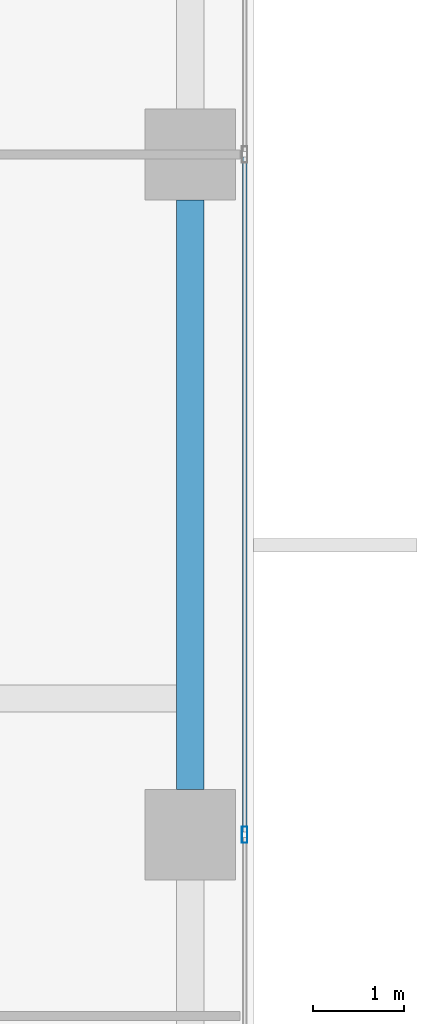
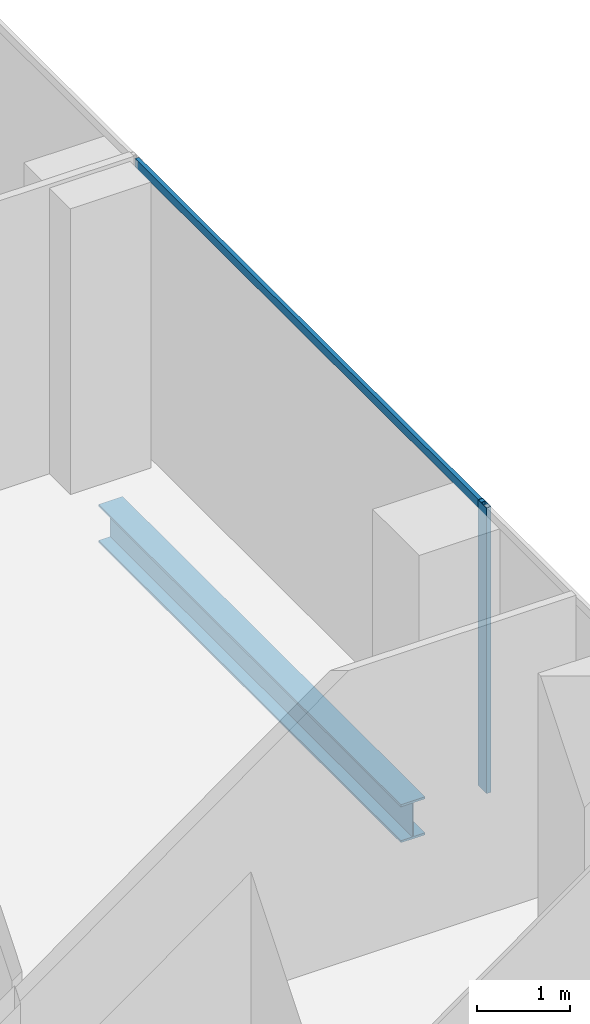
# One storey, part 12 of 40: 2 members, 1 beam, 1 element without a shape of its own.
"""IFC4 building model written with IfcOpenShell, lengths in metres."""

from ifc_helpers import new_model, si_unit, direction, frame, origin, origin_2d, place, context, subcontext, project, spatial, hollow_rectangle, i_section, extrude, source, transform, mapped, material, material_profile, profile_set, type_object, element, aggregate, save


model = new_model("IFC4")

# Units and contexts
model_context = context("Model", 3, precision=1e-05, world=origin(), true_north=direction((0.0, 1.0)))
body_context = subcontext(model_context, "Body", "Model", "MODEL_VIEW")
ifc_project = project(units=[si_unit("LENGTHUNIT", "METRE"), si_unit("AREAUNIT", "SQUARE_METRE"), si_unit("VOLUMEUNIT", "CUBIC_METRE"), si_unit("PLANEANGLEUNIT", "RADIAN"), si_unit("MASSUNIT", "GRAM", prefix="KILO")], contexts=[model_context])

# Site, building, storey
site_placement = place(None, origin())
site = spatial("IfcSite", under=ifc_project, at=site_placement, CompositionType="ELEMENT")
building_placement = place(site_placement, origin())
building = spatial("IfcBuilding", under=site, at=building_placement, Name="Khomas Fold Tower", CompositionType="ELEMENT")
storey_placement = place(building_placement, frame((0.0, 0.0, 192.699951171875)))
storey = spatial("IfcBuildingStorey", under=building, at=storey_placement, Name="L42", CompositionType="ELEMENT", Elevation=192.699951171875)

# Beam
ifc_material_1 = material(Name="Steel S355", Category="steel")
ifc_material_profile_1 = material_profile(ifc_material_1, i_section(OverallWidth=0.300048828125, OverallDepth=0.5, WebThickness=0.014404296875, FlangeThickness=0.028076171875, at=origin_2d()), Name="HE 500 B")
ifc_profile_set_1 = profile_set([ifc_material_profile_1], Name="Steel S355")
beam_type = type_object("IfcBeamType", Name="HE 500 B spandrel SB3", PredefinedType="SPANDREL", material=ifc_profile_set_1)
shared_shape_1 = source(origin(), body_context, "Body", "SweptSolid", [
    extrude(i_section(OverallWidth=0.300048828125, OverallDepth=0.5, WebThickness=0.014404296875, FlangeThickness=0.028076171875, at=origin_2d()), origin(), (0.0, 0.0, 1.0), 6.5),
])
beam_placement = place(storey_placement, frame((50.300048828125, 12.5, -0.5), z_axis=(0.0, 1.0, 0.0), x_axis=(-1.0, 0.0, 0.0)))
element("IfcBeam", 1, at=beam_placement, inside=storey, type_object=beam_type, Name="SB3", PredefinedType="SPANDREL", context=body_context, shape_type="MappedRepresentation", body=[
    mapped(shared_shape_1, transform((0.0, 0.0, 0.0))),
])

# Curtain wall, members
ifc_material_2 = material(Name="Aluminium framed double glazing", Category="aluminium")
curtain_wall_type = type_object("IfcCurtainWallType", Name="SK-Unitised clear-glass wall, office floors CW2", PredefinedType="NOTDEFINED", material=ifc_material_2)
curtain_wall_placement = place(storey_placement, origin())
curtain_wall = element("IfcCurtainWall", 2, at=curtain_wall_placement, inside=storey, type_object=curtain_wall_type, Name="CW2 run L42 03-0", PredefinedType="NOTDEFINED")
ifc_material_3 = material(Name="Aluminium", Category="aluminium")
ifc_material_profile_2 = material_profile(ifc_material_3, hollow_rectangle(XDim=0.06005859375, YDim=0.179931640625, WallThickness=0.00390625, at=origin_2d()), Name="SK-Unitised clear-glass wall, office floors mullion CW2-M")
ifc_profile_set_2 = profile_set([ifc_material_profile_2], Name="Aluminium")
member_type_1 = type_object("IfcMemberType", Name="SK-Unitised clear-glass wall, office floors mullion CW2-M", PredefinedType="MULLION", material=ifc_profile_set_2)
shared_shape_2 = source(origin(), body_context, "Body", "SweptSolid", [
    extrude(hollow_rectangle(XDim=0.06005859375, YDim=0.179931640625, WallThickness=0.00390625, at=origin_2d()), origin(), (0.0, 0.0, 1.0), 3.75),
])
member_1_placement = place(storey_placement, frame((50.89990234375, 12.0, 0.0), z_axis=(0.0, 0.0, 1.0), x_axis=(-1.0, 0.0, 0.0)))
member_1 = element("IfcMember", 3, at=member_1_placement, type_object=member_type_1, Name="CW2 mullion 3", PredefinedType="MULLION", context=body_context, shape_type="MappedRepresentation", body=[
    mapped(shared_shape_2, transform((0.0, 0.0, 0.0))),
])
ifc_material_4 = material(Name="Aluminium", Category="aluminium")
ifc_material_profile_3 = material_profile(ifc_material_4, hollow_rectangle(XDim=0.050048828125, YDim=0.110107421875, WallThickness=0.00390625, at=origin_2d()), Name="SK-Unitised clear-glass wall, office floors transom CW2-T")
ifc_profile_set_3 = profile_set([ifc_material_profile_3], Name="Aluminium")
member_type_2 = type_object("IfcMemberType", Name="SK-Unitised clear-glass wall, office floors transom CW2-T", PredefinedType="USERDEFINED", material=ifc_profile_set_3)
shared_shape_3 = source(origin(), body_context, "Body", "SweptSolid", [
    extrude(hollow_rectangle(XDim=0.050048828125, YDim=0.110107421875, WallThickness=0.00390625, at=origin_2d()), origin(), (0.0, 0.0, 1.0), 7.43994140625),
])
member_2_placement = place(storey_placement, frame((50.89990234375, 12.030029296875, 3.695068359375), z_axis=(0.0, 1.0, 0.0), x_axis=(-1.0, 0.0, 0.0)))
member_2 = element("IfcMember", 4, at=member_2_placement, type_object=member_type_2, Name="CW2 transom 3", ObjectType="TRANSOM", PredefinedType="USERDEFINED", context=body_context, shape_type="MappedRepresentation", body=[
    mapped(shared_shape_3, transform((0.0, 0.0, 0.0))),
])
aggregate(curtain_wall, [member_1, member_2])

save(model, "model.ifc")
